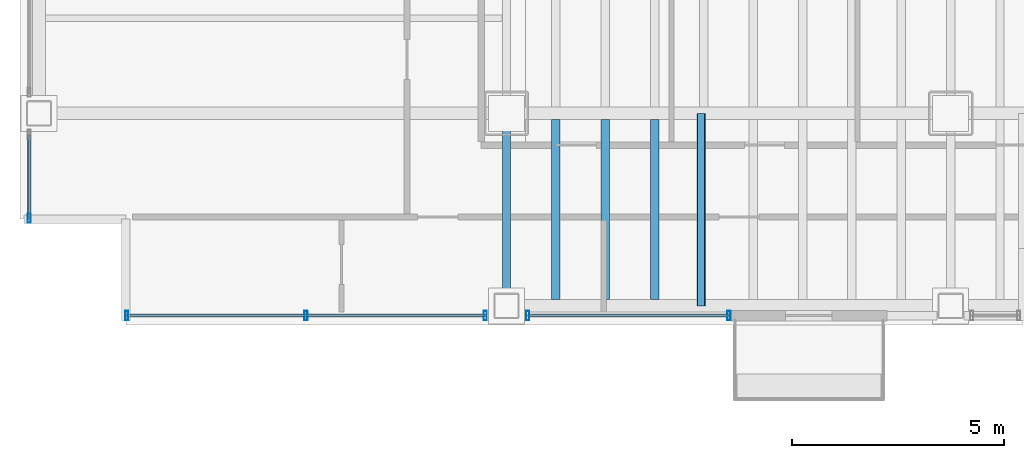
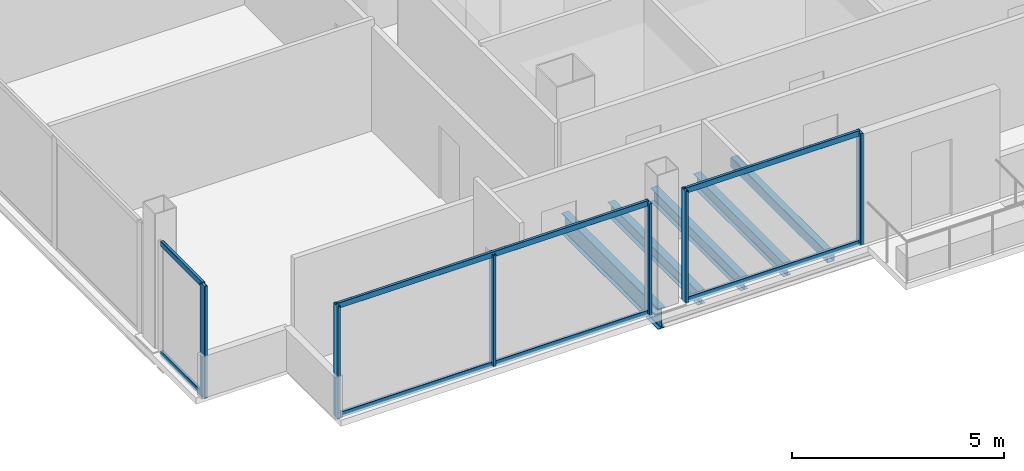
# One storey, part 2 of 30: 12 members, 5 beams, 3 elements without a shape of their own.
"""IFC4 building model written with IfcOpenShell, lengths in metres."""

from ifc_helpers import new_model, si_unit, direction, frame, origin, origin_2d, place, context, subcontext, project, spatial, hollow_rectangle, i_section, extrude, material, material_profile, profile_set, type_object, element, aggregate, save


model = new_model("IFC4")

# Units and contexts
model_context = context("Model", 3, precision=1e-05, world=origin(), true_north=direction((0.0, 1.0)))
body_context = subcontext(model_context, "Body", "Model", "MODEL_VIEW")
ifc_project = project(units=[si_unit("LENGTHUNIT", "METRE"), si_unit("AREAUNIT", "SQUARE_METRE"), si_unit("VOLUMEUNIT", "CUBIC_METRE"), si_unit("PLANEANGLEUNIT", "RADIAN"), si_unit("MASSUNIT", "GRAM", prefix="KILO")], contexts=[model_context])

# Site, building, storey
site_placement = place(None, origin())
site = spatial("IfcSite", under=ifc_project, at=site_placement, CompositionType="ELEMENT")
building_placement = place(site_placement, origin())
building = spatial("IfcBuilding", under=site, at=building_placement, Name="Noeulbin Bourse Tower", CompositionType="ELEMENT")
storey_placement = place(building_placement, frame((0.0, 0.0, 26.5)))
storey = spatial("IfcBuildingStorey", under=building, at=storey_placement, Name="L06", CompositionType="ELEMENT", Elevation=26.5)

# Beams
ifc_material_1 = material(Name="Steel S355", Category="steel")
ifc_material_profile_1 = material_profile(ifc_material_1, hollow_rectangle(XDim=0.199951171875, YDim=0.300048828125, WallThickness=0.011962890625, InnerFilletRadius=0.011962890625, OuterFilletRadius=0.02392578125, at=origin_2d()), Name="RHS-300x200x12", Category="LoadBearing")
ifc_profile_set_1 = profile_set([ifc_material_profile_1], Name="Steel S355")
beam_type_1 = type_object("IfcBeamType", Name="BM-BAL-300", PredefinedType="BEAM", material=ifc_profile_set_1)
beam_1_placement = place(storey_placement, frame((18.10009765625, 15.449951171875, -0.330078125), z_axis=(0.0, 1.0, 0.0), x_axis=(-1.0, 0.0, 0.0)))
element("IfcBeam", 1, at=beam_1_placement, inside=storey, type_object=beam_type_1, Name="Balcony Back-Span Tie Beam L06", PredefinedType="BEAM", context=body_context, shape_type="SweptSolid", body=[
    extrude(hollow_rectangle(XDim=0.199951171875, YDim=0.300048828125, WallThickness=0.011962890625, InnerFilletRadius=0.011962890625, OuterFilletRadius=0.02392578125, at=origin_2d()), origin(), (0.0, 0.0, 1.0), 4.550048828125),
])
ifc_material_profile_2 = material_profile(ifc_material_1, i_section(OverallWidth=0.199951171875, OverallDepth=0.60009765625, WebThickness=0.010986328125, FlangeThickness=0.01708984375, FilletRadius=0.02197265625, at=origin_2d()), Name="H-600x200x11x17", Category="LoadBearing")
ifc_profile_set_2 = profile_set([ifc_material_profile_2], Name="Steel S355")
beam_type_2 = type_object("IfcBeamType", Name="BM-GRD-600", PredefinedType="USERDEFINED", material=ifc_profile_set_2)
beam_2_placement = place(storey_placement, frame((13.5, 15.449951171875, -0.47998046875), z_axis=(0.0, 1.0, 0.0), x_axis=(-1.0, 0.0, 0.0)))
element("IfcBeam", 2, at=beam_2_placement, inside=storey, type_object=beam_type_2, Name="Tower Primary Girder NS L06-1.1", ObjectType="GIRDER", PredefinedType="USERDEFINED", context=body_context, shape_type="SweptSolid", body=[
    extrude(i_section(OverallWidth=0.199951171875, OverallDepth=0.60009765625, WebThickness=0.010986328125, FlangeThickness=0.01708984375, FilletRadius=0.02197265625, at=origin_2d()), origin(), (0.0, 0.0, 1.0), 4.550048828125),
])
ifc_material_profile_3 = material_profile(ifc_material_1, i_section(OverallWidth=0.199951171875, OverallDepth=0.39990234375, WebThickness=0.008056640625, FlangeThickness=0.012939453125, FilletRadius=0.01611328125, at=origin_2d()), Name="H-400x200x8x13", Category="LoadBearing")
ifc_profile_set_3 = profile_set([ifc_material_profile_3], Name="Steel S355")
beam_type_3 = type_object("IfcBeamType", Name="BM-SEC-400", PredefinedType="BEAM", material=ifc_profile_set_3)
for number, where, z_axis, x_axis, name in (
    (3, (14.666748046875, 15.60009765625, -0.3798828125), (0.0, 1.0, 0.0), (-1.0, 0.0, 0.0), "Tower Composite Joist L06-01"),
    (4, (15.833251953125, 15.60009765625, -0.3798828125), (0.0, 1.0, 0.0), (-1.0, 0.0, 0.0), "Tower Composite Joist L06-04"),
    (5, (17.0, 15.60009765625, -0.3798828125), (0.0, 1.0, 0.0), (-1.0, 0.0, 0.0), "Tower Composite Joist L06-07"),
):
    element("IfcBeam", number, at=place(storey_placement, frame(where, z_axis=z_axis, x_axis=x_axis)), inside=storey, type_object=beam_type_3, Name=name, PredefinedType="BEAM", context=body_context, shape_type="SweptSolid", body=[
        extrude(i_section(OverallWidth=0.199951171875, OverallDepth=0.39990234375, WebThickness=0.008056640625, FlangeThickness=0.012939453125, FilletRadius=0.01611328125, at=origin_2d()), origin(), (0.0, 0.0, 1.0), 4.25),
    ])

# Curtain wall, members
ifc_material_2 = material(Name="Dark Solar-Control Double Glazing", Category="glass")
curtain_wall_type = type_object("IfcCurtainWallType", Name="CW-SYS-2", PredefinedType="NOTDEFINED", material=ifc_material_2)
curtain_wall_1_placement = place(storey_placement, origin())
curtain_wall_1 = element("IfcCurtainWall", 6, at=curtain_wall_1_placement, inside=storey, type_object=curtain_wall_type, Name="Unitised Curtain Wall CW-L06-S1-S1", PredefinedType="NOTDEFINED")
ifc_material_3 = material(Name="Anodised Aluminium 6063-T6", Category="aluminium")
ifc_material_profile_4 = material_profile(ifc_material_3, hollow_rectangle(XDim=0.074951171875, YDim=0.219970703125, WallThickness=0.0048828125, InnerFilletRadius=0.00244140625, OuterFilletRadius=0.0048828125, at=origin_2d()), Name="ALU-MULL-75x220x5", Category="LoadBearing")
ifc_profile_set_4 = profile_set([ifc_material_profile_4], Name="Anodised Aluminium 6063-T6")
member_type_1 = type_object("IfcMemberType", Name="CW-SYS-2-MUL", PredefinedType="MULLION", material=ifc_profile_set_4)
member_1_placement = place(storey_placement, frame((4.52001953125, 15.219970703125, -0.02001953125), z_axis=(0.0, 0.0, 1.0), x_axis=(1.0, 0.0, 0.0)))
member_1 = element("IfcMember", 7, at=member_1_placement, type_object=member_type_1, Name="Curtain Wall Mullion CW-L06-S1-S1-M00", PredefinedType="MULLION", context=body_context, shape_type="SweptSolid", body=[
    extrude(hollow_rectangle(XDim=0.074951171875, YDim=0.219970703125, WallThickness=0.0048828125, InnerFilletRadius=0.00244140625, OuterFilletRadius=0.0048828125, at=origin_2d()), origin(), (0.0, 0.0, 1.0), 3.219970703125),
])
member_2_placement = place(storey_placement, frame((8.760009765625, 15.219970703125, -0.02001953125), z_axis=(0.0, 0.0, 1.0), x_axis=(1.0, 0.0, 0.0)))
member_2 = element("IfcMember", 8, at=member_2_placement, type_object=member_type_1, Name="Curtain Wall Mullion CW-L06-S1-S1-M01", PredefinedType="MULLION", context=body_context, shape_type="SweptSolid", body=[
    extrude(hollow_rectangle(XDim=0.074951171875, YDim=0.219970703125, WallThickness=0.0048828125, InnerFilletRadius=0.00244140625, OuterFilletRadius=0.0048828125, at=origin_2d()), origin(), (0.0, 0.0, 1.0), 3.219970703125),
])
member_3_placement = place(storey_placement, frame((13.0, 15.219970703125, -0.02001953125), z_axis=(0.0, 0.0, 1.0), x_axis=(1.0, 0.0, 0.0)))
member_3 = element("IfcMember", 9, at=member_3_placement, type_object=member_type_1, Name="Curtain Wall Mullion CW-L06-S1-S1-M02", PredefinedType="MULLION", context=body_context, shape_type="SweptSolid", body=[
    extrude(hollow_rectangle(XDim=0.074951171875, YDim=0.219970703125, WallThickness=0.0048828125, InnerFilletRadius=0.00244140625, OuterFilletRadius=0.0048828125, at=origin_2d()), origin(), (0.0, 0.0, 1.0), 3.219970703125),
])

curtain_wall_2_placement = place(storey_placement, origin())
curtain_wall_2 = element("IfcCurtainWall", 10, at=curtain_wall_2_placement, inside=storey, type_object=curtain_wall_type, Name="Unitised Curtain Wall CW-L06-S1-S2", PredefinedType="NOTDEFINED")
member_4_placement = place(storey_placement, frame((14.0, 15.219970703125, -0.02001953125), z_axis=(0.0, 0.0, 1.0), x_axis=(1.0, 0.0, 0.0)))
member_4 = element("IfcMember", 11, at=member_4_placement, type_object=member_type_1, Name="Curtain Wall Mullion CW-L06-S1-S2-M00", PredefinedType="MULLION", context=body_context, shape_type="SweptSolid", body=[
    extrude(hollow_rectangle(XDim=0.074951171875, YDim=0.219970703125, WallThickness=0.0048828125, InnerFilletRadius=0.00244140625, OuterFilletRadius=0.0048828125, at=origin_2d()), origin(), (0.0, 0.0, 1.0), 3.219970703125),
])
member_5_placement = place(storey_placement, frame((18.760009765625, 15.219970703125, -0.02001953125), z_axis=(0.0, 0.0, 1.0), x_axis=(1.0, 0.0, 0.0)))
member_5 = element("IfcMember", 12, at=member_5_placement, type_object=member_type_1, Name="Curtain Wall Mullion CW-L06-S1-S2-M01", PredefinedType="MULLION", context=body_context, shape_type="SweptSolid", body=[
    extrude(hollow_rectangle(XDim=0.074951171875, YDim=0.219970703125, WallThickness=0.0048828125, InnerFilletRadius=0.00244140625, OuterFilletRadius=0.0048828125, at=origin_2d()), origin(), (0.0, 0.0, 1.0), 3.219970703125),
])

# Curtain wall, member
curtain_wall_3_placement = place(storey_placement, origin())
curtain_wall_3 = element("IfcCurtainWall", 13, at=curtain_wall_3_placement, inside=storey, type_object=curtain_wall_type, Name="Unitised Curtain Wall CW-L06-W-S1", PredefinedType="NOTDEFINED")
member_6_placement = place(storey_placement, frame((2.219970703125, 17.52001953125, -0.02001953125), z_axis=(0.0, 0.0, 1.0), x_axis=(1.0, 0.0, 0.0)))
member_6 = element("IfcMember", 14, at=member_6_placement, type_object=member_type_1, Name="Curtain Wall Mullion CW-L06-W-S1-M00", PredefinedType="MULLION", context=body_context, shape_type="SweptSolid", body=[
    extrude(hollow_rectangle(XDim=0.074951171875, YDim=0.219970703125, WallThickness=0.0048828125, InnerFilletRadius=0.00244140625, OuterFilletRadius=0.0048828125, at=origin_2d()), origin(), (0.0, 0.0, 1.0), 3.219970703125),
])

# Member
ifc_material_profile_5 = material_profile(ifc_material_3, hollow_rectangle(XDim=0.074951171875, YDim=0.159912109375, WallThickness=0.0048828125, InnerFilletRadius=0.00244140625, OuterFilletRadius=0.0048828125, at=origin_2d()), Name="ALU-TRAN-75x160x5", Category="LoadBearing")
ifc_profile_set_5 = profile_set([ifc_material_profile_5], Name="Anodised Aluminium 6063-T6")
member_type_2 = type_object("IfcMemberType", Name="CW-SYS-2-TRN", PredefinedType="USERDEFINED", material=ifc_profile_set_5)
member_7_placement = place(storey_placement, frame((4.530029296875, 15.219970703125, 0.010009765625), z_axis=(1.0, 0.0, 0.0), x_axis=(0.0, 1.0, 0.0)))
member_7 = element("IfcMember", 15, at=member_7_placement, type_object=member_type_2, Name="Curtain Wall Transom CW-L06-S1-S1-T00", ObjectType="TRANSOM", PredefinedType="USERDEFINED", context=body_context, shape_type="SweptSolid", body=[
    extrude(hollow_rectangle(XDim=0.074951171875, YDim=0.159912109375, WallThickness=0.0048828125, InnerFilletRadius=0.00244140625, OuterFilletRadius=0.0048828125, at=origin_2d()), origin(), (0.0, 0.0, 1.0), 8.4599609375),
])

member_8_placement = place(storey_placement, frame((4.530029296875, 15.219970703125, 3.169921875), z_axis=(1.0, 0.0, 0.0), x_axis=(0.0, 1.0, 0.0)))
member_8 = element("IfcMember", 16, at=member_8_placement, type_object=member_type_2, Name="Curtain Wall Transom CW-L06-S1-S1-T01", ObjectType="TRANSOM", PredefinedType="USERDEFINED", context=body_context, shape_type="SweptSolid", body=[
    extrude(hollow_rectangle(XDim=0.074951171875, YDim=0.159912109375, WallThickness=0.0048828125, InnerFilletRadius=0.00244140625, OuterFilletRadius=0.0048828125, at=origin_2d()), origin(), (0.0, 0.0, 1.0), 8.4599609375),
])

aggregate(curtain_wall_1, [member_1, member_2, member_3, member_7, member_8])

member_9_placement = place(storey_placement, frame((14.010009765625, 15.219970703125, 0.010009765625), z_axis=(1.0, 0.0, 0.0), x_axis=(0.0, 1.0, 0.0)))
member_9 = element("IfcMember", 17, at=member_9_placement, type_object=member_type_2, Name="Curtain Wall Transom CW-L06-S1-S2-T00", ObjectType="TRANSOM", PredefinedType="USERDEFINED", context=body_context, shape_type="SweptSolid", body=[
    extrude(hollow_rectangle(XDim=0.074951171875, YDim=0.159912109375, WallThickness=0.0048828125, InnerFilletRadius=0.00244140625, OuterFilletRadius=0.0048828125, at=origin_2d()), origin(), (0.0, 0.0, 1.0), 4.739990234375),
])

member_10_placement = place(storey_placement, frame((14.010009765625, 15.219970703125, 3.169921875), z_axis=(1.0, 0.0, 0.0), x_axis=(0.0, 1.0, 0.0)))
member_10 = element("IfcMember", 18, at=member_10_placement, type_object=member_type_2, Name="Curtain Wall Transom CW-L06-S1-S2-T01", ObjectType="TRANSOM", PredefinedType="USERDEFINED", context=body_context, shape_type="SweptSolid", body=[
    extrude(hollow_rectangle(XDim=0.074951171875, YDim=0.159912109375, WallThickness=0.0048828125, InnerFilletRadius=0.00244140625, OuterFilletRadius=0.0048828125, at=origin_2d()), origin(), (0.0, 0.0, 1.0), 4.739990234375),
])

aggregate(curtain_wall_2, [member_4, member_5, member_9, member_10])

member_11_placement = place(storey_placement, frame((2.219970703125, 17.530029296875, 0.010009765625), z_axis=(0.0, 1.0, 0.0), x_axis=(-1.0, 0.0, 0.0)))
member_11 = element("IfcMember", 19, at=member_11_placement, type_object=member_type_2, Name="Curtain Wall Transom CW-L06-W-S1-T00", ObjectType="TRANSOM", PredefinedType="USERDEFINED", context=body_context, shape_type="SweptSolid", body=[
    extrude(hollow_rectangle(XDim=0.074951171875, YDim=0.159912109375, WallThickness=0.0048828125, InnerFilletRadius=0.00244140625, OuterFilletRadius=0.0048828125, at=origin_2d()), origin(), (0.0, 0.0, 1.0), 1.9599609375),
])

member_12_placement = place(storey_placement, frame((2.219970703125, 17.530029296875, 3.169921875), z_axis=(0.0, 1.0, 0.0), x_axis=(-1.0, 0.0, 0.0)))
member_12 = element("IfcMember", 20, at=member_12_placement, type_object=member_type_2, Name="Curtain Wall Transom CW-L06-W-S1-T01", ObjectType="TRANSOM", PredefinedType="USERDEFINED", context=body_context, shape_type="SweptSolid", body=[
    extrude(hollow_rectangle(XDim=0.074951171875, YDim=0.159912109375, WallThickness=0.0048828125, InnerFilletRadius=0.00244140625, OuterFilletRadius=0.0048828125, at=origin_2d()), origin(), (0.0, 0.0, 1.0), 1.9599609375),
])

aggregate(curtain_wall_3, [member_6, member_11, member_12])

save(model, "model.ifc")
